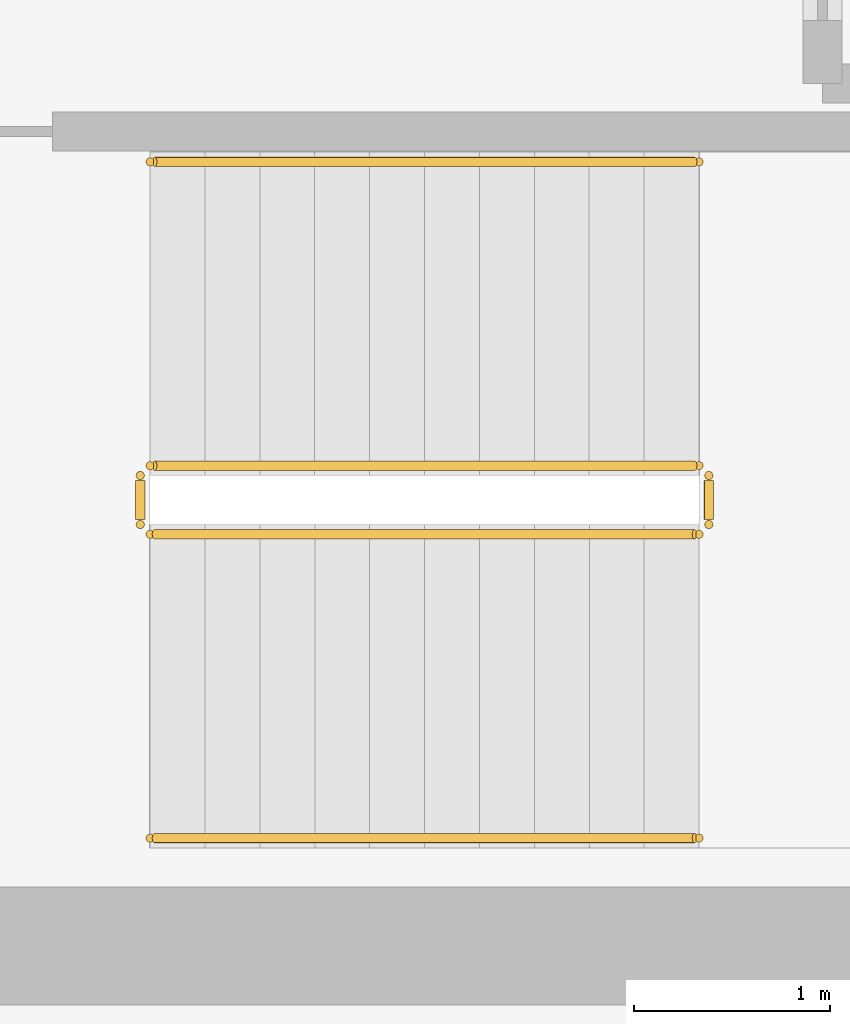
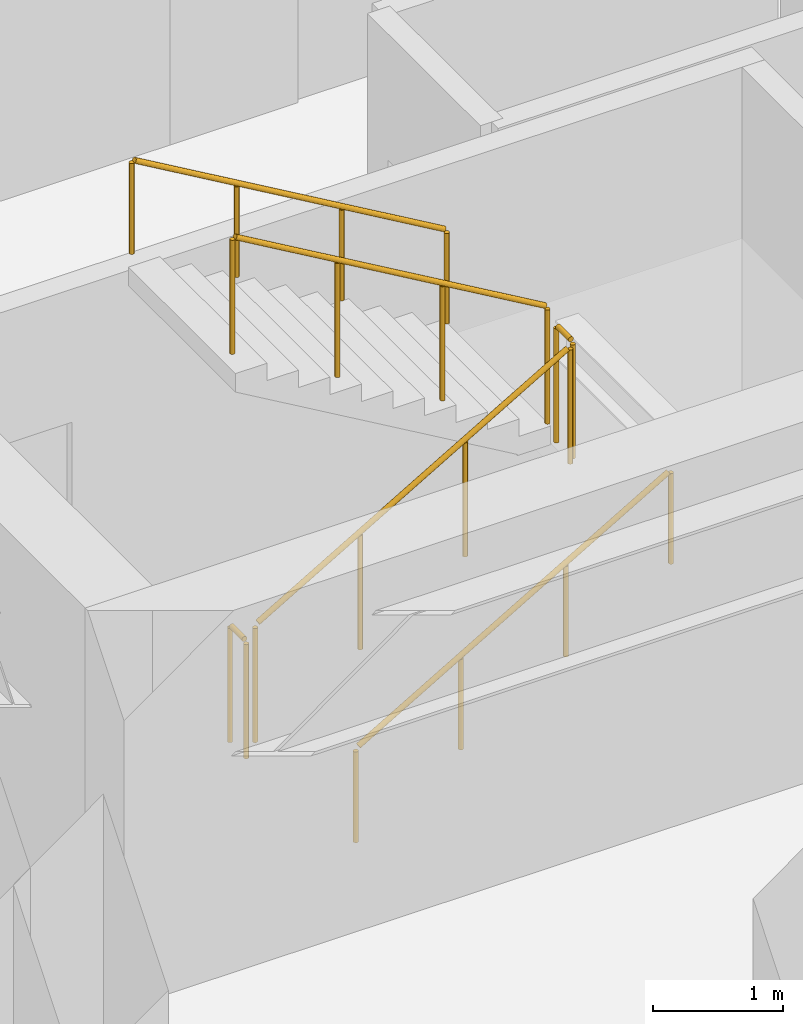
# One storey, part 12 of 13: 6 railings.
"""IFC4 building model written with IfcOpenShell, lengths in metres."""

from ifc_helpers import new_model, si_unit, direction, frame, origin, origin_2d, place, context, subcontext, project, spatial, circle, extrude, source, transform, mapped, material, layer, layer_set, type_object, element, save


model = new_model("IFC4")

# Units and contexts
model_context = context("Model", 3, precision=1e-05, world=origin(), true_north=direction((0.0, 1.0)))
body_context = subcontext(model_context, "Body", "Model", "MODEL_VIEW")
ifc_project = project(units=[si_unit("LENGTHUNIT", "METRE"), si_unit("AREAUNIT", "SQUARE_METRE"), si_unit("VOLUMEUNIT", "CUBIC_METRE"), si_unit("PLANEANGLEUNIT", "RADIAN"), si_unit("MASSUNIT", "GRAM", prefix="KILO")], contexts=[model_context])

# Site, building, storey
site_placement = place(None, origin())
site = spatial("IfcSite", under=ifc_project, at=site_placement, CompositionType="ELEMENT")
building_placement = place(site_placement, origin())
building = spatial("IfcBuilding", under=site, at=building_placement, Name="Kharzan Plaza Tower", CompositionType="ELEMENT")
storey_placement = place(building_placement, frame((0.0, 0.0, 143.10009765625)))
storey = spatial("IfcBuildingStorey", under=building, at=storey_placement, Name="L38", CompositionType="ELEMENT", Elevation=143.10009765625)

# Railings
ifc_material_1 = material(Name="Painted Galvanized Architectural Steel", Category="steel")
ifc_layer_1 = layer(ifc_material_1, 0.074951171875)
ifc_layer_set_1 = layer_set([ifc_layer_1], Name="Painted Galvanized Architectural Steel")
railing_type_1 = type_object("IfcRailingType", Name="RL-GUARD-1120", PredefinedType="BALUSTRADE", material=ifc_layer_set_1)
shared_shape_1 = source(origin(), body_context, "Body", "SweptSolid", [
    extrude(circle(Radius=0.02392578125, at=origin_2d()), frame((0.0, 0.0263671875, 1.09619140625), z_axis=(0.0, 1.0, 0.0), x_axis=(-1.0, 0.0, 0.0)), (0.0, 0.0, 1.0), 0.197021484375),
    extrude(circle(Radius=0.02099609375, at=origin_2d()), origin(), (0.0, 0.0, 1.0), 1.072021484375),
    extrude(circle(Radius=0.02099609375, at=origin_2d()), frame((0.0, 0.25, 0.0)), (0.0, 0.0, 1.0), 1.072021484375),
])
for number, where, name in (
    (1, (41.10009765625, 6.64990234375, 1.7998046875), "L38 ST-3 stair guard 2"),
    (2, (38.199951171875, 6.64990234375, 0.0), "L38 ST-3 stair guard 4"),
):
    element("IfcRailing", number, at=place(storey_placement, frame(where)), inside=storey, type_object=railing_type_1, Name=name, PredefinedType="BALUSTRADE", context=body_context, shape_type="MappedRepresentation", body=[
        mapped(shared_shape_1, transform((0.0, 0.0, 0.0), x_axis=(1.0, 0.0, 0.0), y_axis=(0.0, 1.0, 0.0), z_axis=(0.0, 0.0, 1.0))),
    ])
shared_shape_2 = source(origin(), body_context, "Body", "SweptSolid", [
    extrude(circle(Radius=0.02392578125, at=origin_2d()), frame((0.02294921875, 0.0, 1.109375), z_axis=(0.863393664356, 0.0, 0.504530851732), x_axis=(0.0, 1.0, 0.0)), (0.0, 0.0, 1.0), 3.190185546875),
    extrude(circle(Radius=0.02099609375, at=origin_2d()), origin(), (0.0, 0.0, 1.0), 1.072021484375),
    extrude(circle(Radius=0.02099609375, at=origin_2d()), frame((0.933349609375, 0.0, 0.54541015625)), (0.0, 0.0, 1.0), 1.072021484375),
    extrude(circle(Radius=0.02099609375, at=origin_2d()), frame((1.86669921875, 0.0, 1.0908203125)), (0.0, 0.0, 1.0), 1.072021484375),
    extrude(circle(Radius=0.02099609375, at=origin_2d()), frame((2.800048828125, 0.0, 1.63623046875)), (0.0, 0.0, 1.0), 1.072021484375),
])
railing_1_placement = place(storey_placement, frame((38.25, 6.60009765625, 0.16357421875)))
element("IfcRailing", 3, at=railing_1_placement, inside=storey, type_object=railing_type_1, Name="L38 ST-3 stair guard 1", PredefinedType="BALUSTRADE", context=body_context, shape_type="MappedRepresentation", body=[
    mapped(shared_shape_2, transform((0.0, 0.0, 0.0), x_axis=(1.0, 0.0, 0.0), y_axis=(0.0, 1.0, 0.0), z_axis=(0.0, 0.0, 1.0))),
])
shared_shape_3 = source(origin(), body_context, "Body", "SweptSolid", [
    extrude(circle(Radius=0.02392578125, at=origin_2d()), frame((-0.02294921875, 0.0, 1.109375), z_axis=(-0.863393664356, 0.0, 0.504530851732), x_axis=(0.0, -1.0, 0.0)), (0.0, 0.0, 1.0), 3.190185546875),
    extrude(circle(Radius=0.02099609375, at=origin_2d()), origin(), (0.0, 0.0, 1.0), 1.072021484375),
    extrude(circle(Radius=0.02099609375, at=origin_2d()), frame((-0.933349609375, 0.0, 0.54541015625)), (0.0, 0.0, 1.0), 1.072021484375),
    extrude(circle(Radius=0.02099609375, at=origin_2d()), frame((-1.86669921875, 0.0, 1.0908203125)), (0.0, 0.0, 1.0), 1.072021484375),
    extrude(circle(Radius=0.02099609375, at=origin_2d()), frame((-2.800048828125, 0.0, 1.63623046875)), (0.0, 0.0, 1.0), 1.072021484375),
])
railing_2_placement = place(storey_placement, frame((41.050048828125, 6.949951171875, 1.963623046875)))
element("IfcRailing", 4, at=railing_2_placement, inside=storey, type_object=railing_type_1, Name="L38 ST-3 stair guard 3", PredefinedType="BALUSTRADE", context=body_context, shape_type="MappedRepresentation", body=[
    mapped(shared_shape_3, transform((0.0, 0.0, 0.0), x_axis=(1.0, 0.0, 0.0), y_axis=(0.0, 1.0, 0.0), z_axis=(0.0, 0.0, 1.0))),
])
ifc_material_2 = material(Name="Brushed Stainless Steel", Category="steel")
ifc_layer_2 = layer(ifc_material_2, 0.050048828125)
ifc_layer_set_2 = layer_set([ifc_layer_2], Name="Brushed Stainless Steel")
railing_type_2 = type_object("IfcRailingType", Name="RL-STAIR-HR920", PredefinedType="HANDRAIL", material=ifc_layer_set_2)
shared_shape_4 = source(origin(), body_context, "Body", "SweptSolid", [
    extrude(circle(Radius=0.02392578125, at=origin_2d()), frame((0.02294921875, 0.0, 0.88916015625), z_axis=(0.863393664356, 0.0, 0.504530851732), x_axis=(0.0, 1.0, 0.0)), (0.0, 0.0, 1.0), 3.190185546875),
    extrude(circle(Radius=0.02099609375, at=origin_2d()), origin(), (0.0, 0.0, 1.0), 0.851806640625),
    extrude(circle(Radius=0.02099609375, at=origin_2d()), frame((0.933349609375, 0.0, 0.54541015625)), (0.0, 0.0, 1.0), 0.851806640625),
    extrude(circle(Radius=0.02099609375, at=origin_2d()), frame((1.86669921875, 0.0, 1.0908203125)), (0.0, 0.0, 1.0), 0.851806640625),
    extrude(circle(Radius=0.02099609375, at=origin_2d()), frame((2.800048828125, 0.0, 1.63623046875)), (0.0, 0.0, 1.0), 0.851806640625),
])
railing_3_placement = place(storey_placement, frame((38.25, 5.050048828125, 0.16357421875)))
element("IfcRailing", 5, at=railing_3_placement, inside=storey, type_object=railing_type_2, Name="L38 ST-3 stair handrail 1", PredefinedType="HANDRAIL", context=body_context, shape_type="MappedRepresentation", body=[
    mapped(shared_shape_4, transform((0.0, 0.0, 0.0), x_axis=(1.0, 0.0, 0.0), y_axis=(0.0, 1.0, 0.0), z_axis=(0.0, 0.0, 1.0))),
])
shared_shape_5 = source(origin(), body_context, "Body", "SweptSolid", [
    extrude(circle(Radius=0.02392578125, at=origin_2d()), frame((-0.02294921875, 0.0, 0.88916015625), z_axis=(-0.863393664356, 0.0, 0.504530851732), x_axis=(0.0, -1.0, 0.0)), (0.0, 0.0, 1.0), 3.190185546875),
    extrude(circle(Radius=0.02099609375, at=origin_2d()), origin(), (0.0, 0.0, 1.0), 0.851806640625),
    extrude(circle(Radius=0.02099609375, at=origin_2d()), frame((-0.933349609375, 0.0, 0.54541015625)), (0.0, 0.0, 1.0), 0.851806640625),
    extrude(circle(Radius=0.02099609375, at=origin_2d()), frame((-1.86669921875, 0.0, 1.0908203125)), (0.0, 0.0, 1.0), 0.851806640625),
    extrude(circle(Radius=0.02099609375, at=origin_2d()), frame((-2.800048828125, 0.0, 1.63623046875)), (0.0, 0.0, 1.0), 0.851806640625),
])
railing_4_placement = place(storey_placement, frame((41.050048828125, 8.5, 1.963623046875)))
element("IfcRailing", 6, at=railing_4_placement, inside=storey, type_object=railing_type_2, Name="L38 ST-3 stair handrail 2", PredefinedType="HANDRAIL", context=body_context, shape_type="MappedRepresentation", body=[
    mapped(shared_shape_5, transform((0.0, 0.0, 0.0), x_axis=(1.0, 0.0, 0.0), y_axis=(0.0, 1.0, 0.0), z_axis=(0.0, 0.0, 1.0))),
])

save(model, "model.ifc")
